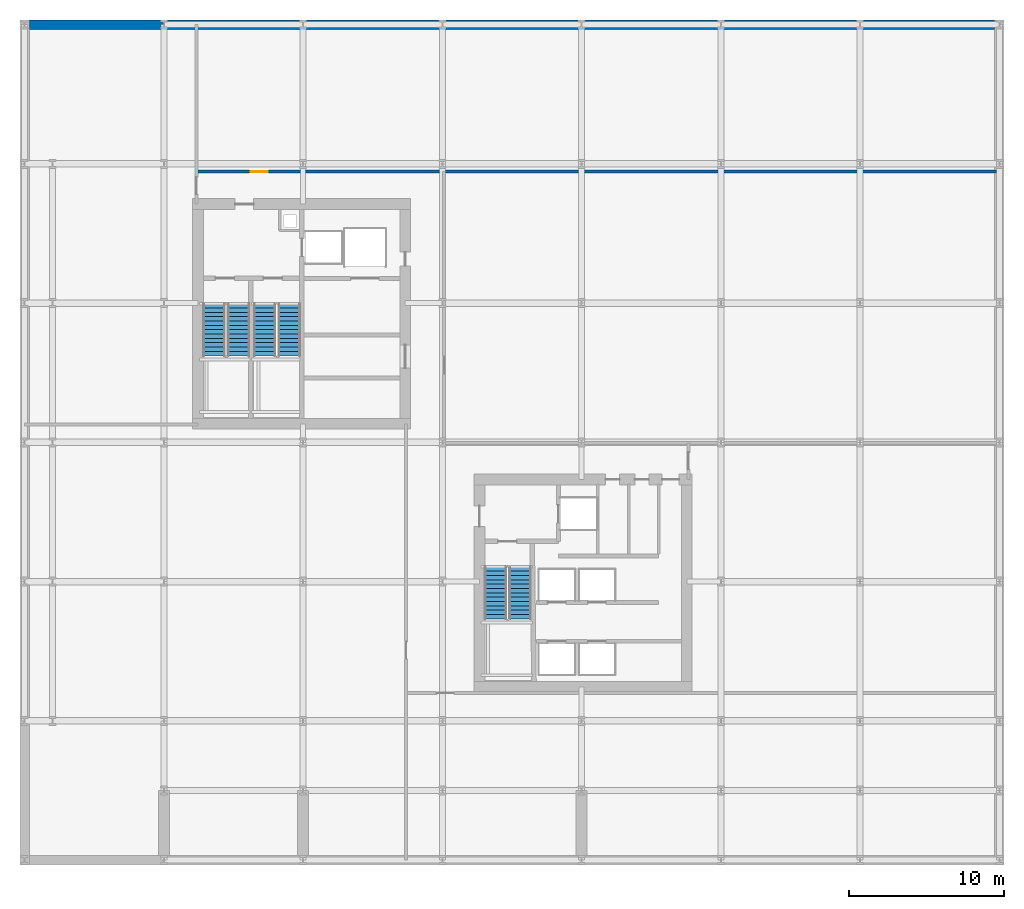
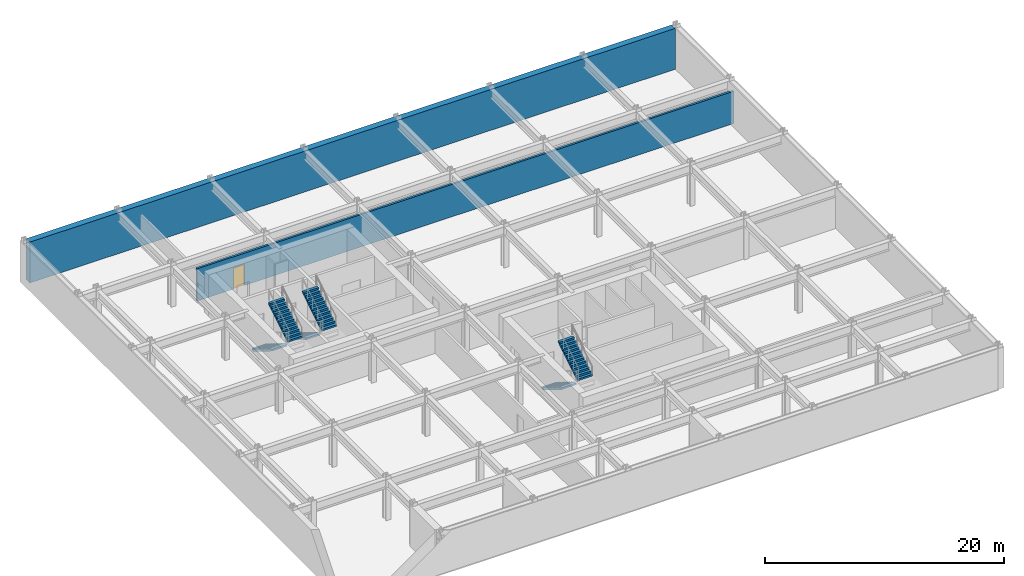
# One storey, part 4 of 6: 6 stair flights, 2 walls, 1 door, 1 opening, 3 elements without a shape of their own.
"""IFC4 building model written with IfcOpenShell, lengths in metres."""

from ifc_helpers import new_model, si_unit, direction, frame, frame_2d, origin, place, context, subcontext, project, spatial, polyline, rectangle, outline, extrude, material, layer, layer_set, type_object, element, fill, aggregate, save


model = new_model("IFC4")

# Units and contexts
model_context = context("Model", 3, precision=1e-05, world=origin(), true_north=direction((0.0, 1.0)))
body_context = subcontext(model_context, "Body", "Model", "MODEL_VIEW")
ifc_project = project(units=[si_unit("LENGTHUNIT", "METRE"), si_unit("AREAUNIT", "SQUARE_METRE"), si_unit("VOLUMEUNIT", "CUBIC_METRE"), si_unit("PLANEANGLEUNIT", "RADIAN"), si_unit("MASSUNIT", "GRAM", prefix="KILO")], contexts=[model_context])

# Site, building, storey
site_placement = place(None, origin())
site = spatial("IfcSite", under=ifc_project, at=site_placement, CompositionType="ELEMENT")
building_placement = place(site_placement, origin())
building = spatial("IfcBuilding", under=site, at=building_placement, Name="Solvaryn Broadcast Tower", CompositionType="ELEMENT")
storey_placement = place(building_placement, frame((0.0, 0.0, -4.5)))
storey = spatial("IfcBuildingStorey", under=building, at=storey_placement, Name="B01", CompositionType="ELEMENT", Elevation=-4.5)

# Wall
ifc_material_1 = material(Name="Concrete f'c 60 MPa", Category="concrete")
ifc_layer_1 = layer(ifc_material_1, 0.60009765625)
ifc_layer_set_1 = layer_set([ifc_layer_1], Name="EW-BSMT-600")
wall_type_1 = type_object("IfcWallType", Name="EW-BSMT-600", PredefinedType="SOLIDWALL", material=ifc_layer_set_1)
wall_1_placement = place(storey_placement, frame((0.300048828125, 54.0, 0.0), z_axis=(0.0, 0.0, 1.0), x_axis=(1.0, 0.0, 0.0)))
element("IfcWall", 1, at=wall_1_placement, inside=storey, type_object=wall_type_1, Name="B01 Perimeter Retaining Wall N", PredefinedType="SOLIDWALL", context=body_context, shape_type="SweptSolid", body=[
    extrude(rectangle(XDim=62.39990234375, YDim=0.60009765625, at=frame_2d((31.199951171875, 0.0))), origin(), (0.0, 0.0, 1.0), 4.179931640625),
])

# Wall, opening, door
ifc_material_2 = material(Name="Gypsum Fire-Rated Shaftwall Assembly", Category="concrete")
ifc_layer_2 = layer(ifc_material_2, 0.199951171875)
ifc_layer_set_2 = layer_set([ifc_layer_2], Name="IW-RATED-200")
wall_type_2 = type_object("IfcWallType", Name="IW-RATED-200", PredefinedType="PARTITIONING", material=ifc_layer_set_2)
wall_2_placement = place(storey_placement, frame((11.10009765625, 44.5, 0.0), z_axis=(0.0, 0.0, 1.0), x_axis=(1.0, 0.0, 0.0)))
wall_2 = element("IfcWall", 2, at=wall_2_placement, inside=storey, type_object=wall_type_2, Name="B01 Interior Partition IW-B01-BW4", PredefinedType="PARTITIONING", context=body_context, shape_type="SweptSolid", body=[
    extrude(rectangle(XDim=51.89990234375, YDim=0.199951171875, at=frame_2d((25.949951171875, 0.0))), origin(), (0.0, 0.0, 1.0), 3.304931640625),
])
opening_placement = place(wall_2_placement, frame((3.5, 0.0, 0.0)))
opening = element("IfcOpeningElement", 3, at=opening_placement, cuts=wall_2, Name="Opening FD90C", PredefinedType="OPENING", context=body_context, shape_type="SweptSolid", body=[
    extrude(rectangle(XDim=1.10009765625, YDim=2.14990234375, at=frame_2d((0.550048828125, 1.074951171875))), frame((0.0, 0.110107421875, 0.0), z_axis=(0.0, -1.0, 0.0), x_axis=(1.0, 0.0, 0.0)), (0.0, 0.0, 1.0), 0.219970703125),
])
ifc_material_3 = material(Name="Flush Acoustic Steel and Timber Door Assembly", Category="steel")
door_type = type_object("IfcDoorType", Name="FD90-PLANT-1100X2150", OperationType="NOTDEFINED", PredefinedType="DOOR", material=ifc_material_3)
door_placement = place(opening_placement, origin())
door = element("IfcDoor", 4, at=door_placement, inside=storey, type_object=door_type, Name="B01 Door DR-B01-BD5", OperationType="SINGLE_SWING_RIGHT", OverallHeight=2.14990234375, OverallWidth=1.10009765625, PredefinedType="DOOR", context=body_context, shape_type="SweptSolid", body=[
    extrude(rectangle(XDim=1.10009765625, YDim=2.14990234375, at=frame_2d((0.550048828125, 1.074951171875))), frame((0.0, 0.02490234375, 0.0), z_axis=(0.0, -1.0, 0.0), x_axis=(1.0, 0.0, 0.0)), (0.0, 0.0, 1.0), 0.050048828125),
])
fill(opening, door)

# Stair, stair flights
ifc_material_4 = material(Name="Concrete f'c 60 MPa", Category="concrete")
stair_type = type_object("IfcStairType", Name="ST-CORE", PredefinedType="HALF_TURN_STAIR", material=ifc_material_4)
stair_1_placement = place(storey_placement, origin())
stair_1 = element("IfcStair", 5, at=stair_1_placement, inside=storey, type_object=stair_type, Name="B01 ST1", PredefinedType="HALF_TURN_STAIR")
ifc_material_5 = material(Name="Concrete f'c 60 MPa", Category="concrete")
ifc_layer_3 = layer(ifc_material_5, 0.159912109375)
ifc_layer_set_3 = layer_set([ifc_layer_3], Name="SF-CORE")
stair_flight_type = type_object("IfcStairFlightType", Name="SF-CORE", PredefinedType="STRAIGHT", material=ifc_layer_set_3)
stair_flight_1_placement = place(storey_placement, frame((12.239990234375, 35.9599609375, 0.0), z_axis=(0.0, 0.0, 1.0), x_axis=(0.0, -1.0, 0.0)))
stair_flight_1 = element("IfcStairFlight", 6, at=stair_flight_1_placement, type_object=stair_flight_type, Name="ST1 flight 1", NumberOfRisers=13, NumberOfTreads=12, PredefinedType="STRAIGHT", RiserHeight=0.173076923, TreadLength=0.28, context=body_context, shape_type="SweptSolid", body=[
    extrude(outline(polyline([(0.0, 0.0), (0.0, 0.173095703125), (0.280029296875, 0.173095703125), (0.280029296875, 0.34619140625), (0.56005859375, 0.34619140625), (0.56005859375, 0.519287109375), (0.840087890625, 0.519287109375), (0.840087890625, 0.6923828125), (1.1201171875, 0.6923828125), (1.1201171875, 0.865478515625), (1.39990234375, 0.865478515625), (1.39990234375, 1.03857421875), (1.679931640625, 1.03857421875), (1.679931640625, 1.21142578125), (1.9599609375, 1.21142578125), (1.9599609375, 1.384521484375), (2.239990234375, 1.384521484375), (2.239990234375, 1.5576171875), (2.52001953125, 1.5576171875), (2.52001953125, 1.730712890625), (2.800048828125, 1.730712890625), (2.800048828125, 1.90380859375), (3.080078125, 1.90380859375), (3.080078125, 2.076904296875), (3.360107421875, 2.076904296875), (3.360107421875, 2.25), (3.360107421875, 1.900634765625), (0.28515625, 0.0), (0.0, 0.0)])), frame((0.0, 0.719970703125, 0.0), z_axis=(0.0, -1.0, 0.0), x_axis=(1.0, 0.0, 0.0)), (0.0, 0.0, 1.0), 1.43994140625),
])
stair_flight_2_placement = place(storey_placement, frame((13.830078125, 32.60009765625, 2.25), z_axis=(0.0, 0.0, 1.0), x_axis=(0.0, 1.0, 0.0)))
stair_flight_2 = element("IfcStairFlight", 7, at=stair_flight_2_placement, type_object=stair_flight_type, Name="ST1 flight 2", NumberOfRisers=13, NumberOfTreads=12, PredefinedType="STRAIGHT", RiserHeight=0.173076923, TreadLength=0.28, context=body_context, shape_type="SweptSolid", body=[
    extrude(outline(polyline([(0.0, 0.0), (0.0, 0.173095703125), (0.280029296875, 0.173095703125), (0.280029296875, 0.34619140625), (0.56005859375, 0.34619140625), (0.56005859375, 0.519287109375), (0.840087890625, 0.519287109375), (0.840087890625, 0.6923828125), (1.1201171875, 0.6923828125), (1.1201171875, 0.865478515625), (1.39990234375, 0.865478515625), (1.39990234375, 1.03857421875), (1.679931640625, 1.03857421875), (1.679931640625, 1.21142578125), (1.9599609375, 1.21142578125), (1.9599609375, 1.384521484375), (2.239990234375, 1.384521484375), (2.239990234375, 1.5576171875), (2.52001953125, 1.5576171875), (2.52001953125, 1.730712890625), (2.800048828125, 1.730712890625), (2.800048828125, 1.90380859375), (3.080078125, 1.90380859375), (3.080078125, 2.076904296875), (3.360107421875, 2.076904296875), (3.360107421875, 2.25), (3.360107421875, 1.900634765625), (0.28515625, 0.0), (0.0, 0.0)])), frame((0.0, 0.719970703125, 0.0), z_axis=(0.0, -1.0, 0.0), x_axis=(1.0, 0.0, 0.0)), (0.0, 0.0, 1.0), 1.43994140625),
])
aggregate(stair_1, [stair_flight_1, stair_flight_2])

stair_2_placement = place(storey_placement, origin())
stair_2 = element("IfcStair", 8, at=stair_2_placement, inside=storey, type_object=stair_type, Name="B01 ST2", PredefinedType="HALF_TURN_STAIR")
stair_flight_3_placement = place(storey_placement, frame((15.52001953125, 35.9599609375, 0.0), z_axis=(0.0, 0.0, 1.0), x_axis=(0.0, -1.0, 0.0)))
stair_flight_3 = element("IfcStairFlight", 9, at=stair_flight_3_placement, type_object=stair_flight_type, Name="ST2 flight 1", NumberOfRisers=13, NumberOfTreads=12, PredefinedType="STRAIGHT", RiserHeight=0.173076923, TreadLength=0.28, context=body_context, shape_type="SweptSolid", body=[
    extrude(outline(polyline([(0.0, 0.0), (0.0, 0.173095703125), (0.280029296875, 0.173095703125), (0.280029296875, 0.34619140625), (0.56005859375, 0.34619140625), (0.56005859375, 0.519287109375), (0.840087890625, 0.519287109375), (0.840087890625, 0.6923828125), (1.1201171875, 0.6923828125), (1.1201171875, 0.865478515625), (1.39990234375, 0.865478515625), (1.39990234375, 1.03857421875), (1.679931640625, 1.03857421875), (1.679931640625, 1.21142578125), (1.9599609375, 1.21142578125), (1.9599609375, 1.384521484375), (2.239990234375, 1.384521484375), (2.239990234375, 1.5576171875), (2.52001953125, 1.5576171875), (2.52001953125, 1.730712890625), (2.800048828125, 1.730712890625), (2.800048828125, 1.90380859375), (3.080078125, 1.90380859375), (3.080078125, 2.076904296875), (3.360107421875, 2.076904296875), (3.360107421875, 2.25), (3.360107421875, 1.900634765625), (0.28515625, 0.0), (0.0, 0.0)])), frame((0.0, 0.719970703125, 0.0), z_axis=(0.0, -1.0, 0.0), x_axis=(1.0, 0.0, 0.0)), (0.0, 0.0, 1.0), 1.43994140625),
])
stair_flight_4_placement = place(storey_placement, frame((17.110107421875, 32.60009765625, 2.25), z_axis=(0.0, 0.0, 1.0), x_axis=(0.0, 1.0, 0.0)))
stair_flight_4 = element("IfcStairFlight", 10, at=stair_flight_4_placement, type_object=stair_flight_type, Name="ST2 flight 2", NumberOfRisers=13, NumberOfTreads=12, PredefinedType="STRAIGHT", RiserHeight=0.173076923, TreadLength=0.28, context=body_context, shape_type="SweptSolid", body=[
    extrude(outline(polyline([(0.0, 0.0), (0.0, 0.173095703125), (0.280029296875, 0.173095703125), (0.280029296875, 0.34619140625), (0.56005859375, 0.34619140625), (0.56005859375, 0.519287109375), (0.840087890625, 0.519287109375), (0.840087890625, 0.6923828125), (1.1201171875, 0.6923828125), (1.1201171875, 0.865478515625), (1.39990234375, 0.865478515625), (1.39990234375, 1.03857421875), (1.679931640625, 1.03857421875), (1.679931640625, 1.21142578125), (1.9599609375, 1.21142578125), (1.9599609375, 1.384521484375), (2.239990234375, 1.384521484375), (2.239990234375, 1.5576171875), (2.52001953125, 1.5576171875), (2.52001953125, 1.730712890625), (2.800048828125, 1.730712890625), (2.800048828125, 1.90380859375), (3.080078125, 1.90380859375), (3.080078125, 2.076904296875), (3.360107421875, 2.076904296875), (3.360107421875, 2.25), (3.360107421875, 1.900634765625), (0.28515625, 0.0), (0.0, 0.0)])), frame((0.0, 0.719970703125, 0.0), z_axis=(0.0, -1.0, 0.0), x_axis=(1.0, 0.0, 0.0)), (0.0, 0.0, 1.0), 1.43994140625),
])
aggregate(stair_2, [stair_flight_3, stair_flight_4])

stair_3_placement = place(storey_placement, origin())
stair_3 = element("IfcStair", 11, at=stair_3_placement, inside=storey, type_object=stair_type, Name="B01 ST3", PredefinedType="HALF_TURN_STAIR")
stair_flight_5_placement = place(storey_placement, frame((30.43994140625, 18.9599609375, 0.0), z_axis=(0.0, 0.0, 1.0), x_axis=(0.0, -1.0, 0.0)))
stair_flight_5 = element("IfcStairFlight", 12, at=stair_flight_5_placement, type_object=stair_flight_type, Name="ST3 flight 1", NumberOfRisers=13, NumberOfTreads=12, PredefinedType="STRAIGHT", RiserHeight=0.173076923, TreadLength=0.28, context=body_context, shape_type="SweptSolid", body=[
    extrude(outline(polyline([(0.0, 0.0), (0.0, 0.173095703125), (0.280029296875, 0.173095703125), (0.280029296875, 0.34619140625), (0.56005859375, 0.34619140625), (0.56005859375, 0.519287109375), (0.840087890625, 0.519287109375), (0.840087890625, 0.6923828125), (1.1201171875, 0.6923828125), (1.1201171875, 0.865478515625), (1.39990234375, 0.865478515625), (1.39990234375, 1.03857421875), (1.679931640625, 1.03857421875), (1.679931640625, 1.21142578125), (1.9599609375, 1.21142578125), (1.9599609375, 1.384521484375), (2.239990234375, 1.384521484375), (2.239990234375, 1.5576171875), (2.52001953125, 1.5576171875), (2.52001953125, 1.730712890625), (2.800048828125, 1.730712890625), (2.800048828125, 1.90380859375), (3.080078125, 1.90380859375), (3.080078125, 2.076904296875), (3.360107421875, 2.076904296875), (3.360107421875, 2.25), (3.360107421875, 1.900634765625), (0.28515625, 0.0), (0.0, 0.0)])), frame((0.0, 0.719970703125, 0.0), z_axis=(0.0, -1.0, 0.0), x_axis=(1.0, 0.0, 0.0)), (0.0, 0.0, 1.0), 1.43994140625),
])
stair_flight_6_placement = place(storey_placement, frame((32.030029296875, 15.60009765625, 2.25), z_axis=(0.0, 0.0, 1.0), x_axis=(0.0, 1.0, 0.0)))
stair_flight_6 = element("IfcStairFlight", 13, at=stair_flight_6_placement, type_object=stair_flight_type, Name="ST3 flight 2", NumberOfRisers=13, NumberOfTreads=12, PredefinedType="STRAIGHT", RiserHeight=0.173076923, TreadLength=0.28, context=body_context, shape_type="SweptSolid", body=[
    extrude(outline(polyline([(0.0, 0.0), (0.0, 0.173095703125), (0.280029296875, 0.173095703125), (0.280029296875, 0.34619140625), (0.56005859375, 0.34619140625), (0.56005859375, 0.519287109375), (0.840087890625, 0.519287109375), (0.840087890625, 0.6923828125), (1.1201171875, 0.6923828125), (1.1201171875, 0.865478515625), (1.39990234375, 0.865478515625), (1.39990234375, 1.03857421875), (1.679931640625, 1.03857421875), (1.679931640625, 1.21142578125), (1.9599609375, 1.21142578125), (1.9599609375, 1.384521484375), (2.239990234375, 1.384521484375), (2.239990234375, 1.5576171875), (2.52001953125, 1.5576171875), (2.52001953125, 1.730712890625), (2.800048828125, 1.730712890625), (2.800048828125, 1.90380859375), (3.080078125, 1.90380859375), (3.080078125, 2.076904296875), (3.360107421875, 2.076904296875), (3.360107421875, 2.25), (3.360107421875, 1.900634765625), (0.28515625, 0.0), (0.0, 0.0)])), frame((0.0, 0.719970703125, 0.0), z_axis=(0.0, -1.0, 0.0), x_axis=(1.0, 0.0, 0.0)), (0.0, 0.0, 1.0), 1.43994140625),
])
aggregate(stair_3, [stair_flight_5, stair_flight_6])

save(model, "model.ifc")
